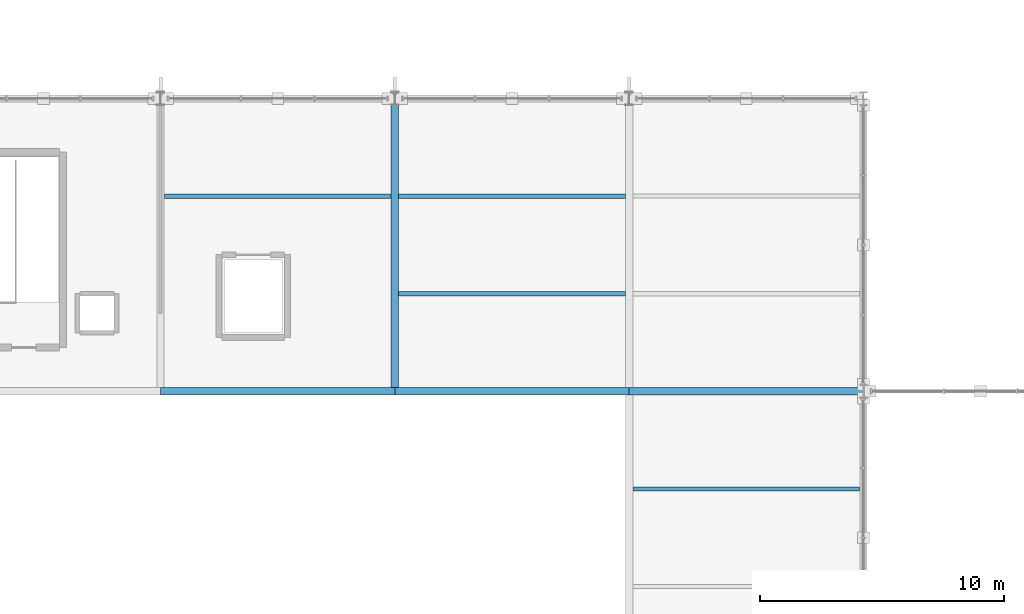
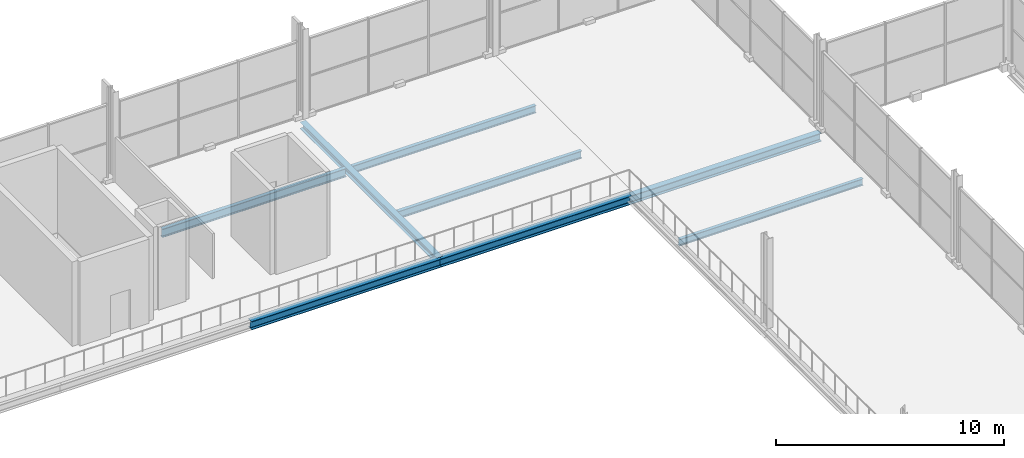
# One storey, part 83 of 159: 8 beams.
"""IFC4 building model written with IfcOpenShell, lengths in metres."""

from ifc_helpers import new_model, si_unit, direction, frame, origin, origin_2d, place, context, subcontext, project, spatial, i_section, extrude, material, material_profile, profile_set, type_object, element, save


model = new_model("IFC4")

# Units and contexts
model_context = context("Model", 3, precision=1e-05, world=origin(), true_north=direction((0.0, 1.0)))
body_context = subcontext(model_context, "Body", "Model", "MODEL_VIEW")
ifc_project = project(units=[si_unit("LENGTHUNIT", "METRE"), si_unit("AREAUNIT", "SQUARE_METRE"), si_unit("VOLUMEUNIT", "CUBIC_METRE"), si_unit("PLANEANGLEUNIT", "RADIAN"), si_unit("MASSUNIT", "GRAM", prefix="KILO")], contexts=[model_context])

# Site, building, storey
site_placement = place(None, origin())
site = spatial("IfcSite", under=ifc_project, at=site_placement, CompositionType="ELEMENT")
building_placement = place(site_placement, origin())
building = spatial("IfcBuilding", under=site, at=building_placement, Name="Merenkruunu Market Hall", CompositionType="ELEMENT")
storey_placement = place(building_placement, frame((0.0, 0.0, 5.39990234375)))
storey = spatial("IfcBuildingStorey", under=building, at=storey_placement, Name="L01", CompositionType="ELEMENT", Elevation=5.39990234375)

# Beams
ifc_material = material(Name="Steel S355J2", Category="steel")
ifc_material_profile_1 = material_profile(ifc_material, i_section(OverallWidth=0.300048828125, OverallDepth=0.449951171875, WebThickness=0.013916015625, FlangeThickness=0.02587890625, FilletRadius=0.027099609375, at=origin_2d()), Name="HEB 450")
ifc_profile_set_1 = profile_set([ifc_material_profile_1], Name="Steel S355J2")
beam_type_1 = type_object("IfcBeamType", Name="Primary Floor Girder B03", PredefinedType="BEAM", material=ifc_profile_set_1)
beam_1_placement = place(storey_placement, frame((28.800048828125, 99.60009765625, -0.5048828125), z_axis=(1.0, 0.0, 0.0), x_axis=(0.0, 1.0, 0.0)))
element("IfcBeam", 1, at=beam_1_placement, inside=storey, type_object=beam_type_1, Name="BM-L01-B03-0542", PredefinedType="BEAM", context=body_context, shape_type="SweptSolid", body=[
    extrude(i_section(OverallWidth=0.300048828125, OverallDepth=0.449951171875, WebThickness=0.013916015625, FlangeThickness=0.02587890625, FilletRadius=0.027099609375, at=origin_2d()), origin(), (0.0, 0.0, 1.0), 9.599853515625),
])
for number, where, z_axis, x_axis, name in (
    (2, (38.39990234375, 99.60009765625, -0.5048828125), (1.0, 0.0, 0.0), (0.0, 1.0, 0.0), "BM-L01-B03-0543"),
    (3, (48.0, 99.60009765625, -0.5048828125), (1.0, 0.0, 0.0), (0.0, 1.0, 0.0), "BM-L01-B03-0544"),
):
    element("IfcBeam", number, at=place(storey_placement, frame(where, z_axis=z_axis, x_axis=x_axis)), inside=storey, type_object=beam_type_1, Name=name, PredefinedType="BEAM", context=body_context, shape_type="SweptSolid", body=[
        extrude(i_section(OverallWidth=0.300048828125, OverallDepth=0.449951171875, WebThickness=0.013916015625, FlangeThickness=0.02587890625, FilletRadius=0.027099609375, at=origin_2d()), origin(), (0.0, 0.0, 1.0), 9.60009765625),
    ])
ifc_material_profile_2 = material_profile(ifc_material, i_section(OverallWidth=0.300048828125, OverallDepth=0.35009765625, WebThickness=0.010009765625, FlangeThickness=0.017578125, FilletRadius=0.027099609375, at=origin_2d()), Name="HEA 360")
ifc_profile_set_2 = profile_set([ifc_material_profile_2], Name="Steel S355J2")
beam_type_2 = type_object("IfcBeamType", Name="Primary Floor Girder B08", PredefinedType="BEAM", material=ifc_profile_set_2)
beam_2_placement = place(storey_placement, frame((38.39990234375, 99.60009765625, -0.454833984375), z_axis=(0.0, 1.0, 0.0), x_axis=(-1.0, 0.0, 0.0)))
element("IfcBeam", 4, at=beam_2_placement, inside=storey, type_object=beam_type_2, Name="BM-L01-B08-0570", PredefinedType="BEAM", context=body_context, shape_type="SweptSolid", body=[
    extrude(i_section(OverallWidth=0.300048828125, OverallDepth=0.35009765625, WebThickness=0.010009765625, FlangeThickness=0.017578125, FilletRadius=0.027099609375, at=origin_2d()), origin(), (0.0, 0.0, 1.0), 12.0),
])
ifc_material_profile_3 = material_profile(ifc_material, i_section(OverallWidth=0.18994140625, OverallDepth=0.449951171875, WebThickness=0.009521484375, FlangeThickness=0.0146484375, FilletRadius=0.02099609375, at=origin_2d()), Name="IPE 450")
ifc_profile_set_3 = profile_set([ifc_material_profile_3], Name="Steel S355J2")
beam_type_3 = type_object("IfcBeamType", Name="Secondary Floor Joist J01", PredefinedType="JOIST", material=ifc_profile_set_3)
beam_3_placement = place(storey_placement, frame((28.952880859375, 107.60009765625, -0.5048828125), z_axis=(1.0, 0.0, 0.0), x_axis=(0.0, 1.0, 0.0)))
element("IfcBeam", 5, at=beam_3_placement, inside=storey, type_object=beam_type_3, Name="BM-L01-J01-0662", PredefinedType="JOIST", context=body_context, shape_type="SweptSolid", body=[
    extrude(i_section(OverallWidth=0.18994140625, OverallDepth=0.449951171875, WebThickness=0.009521484375, FlangeThickness=0.0146484375, FilletRadius=0.02099609375, at=origin_2d()), origin(), (0.0, 0.0, 1.0), 9.294189453125),
])
ifc_material_profile_4 = material_profile(ifc_material, i_section(OverallWidth=0.179931640625, OverallDepth=0.39990234375, WebThickness=0.008544921875, FlangeThickness=0.013427734375, FilletRadius=0.02099609375, at=origin_2d()), Name="IPE 400")
ifc_profile_set_4 = profile_set([ifc_material_profile_4], Name="Steel S355J2")
beam_type_4 = type_object("IfcBeamType", Name="Secondary Floor Joist J02", PredefinedType="JOIST", material=ifc_profile_set_4)
for number, where, z_axis, x_axis, name in (
    (6, (38.552978515625, 103.60009765625, -0.47998046875), (1.0, 0.0, 0.0), (0.0, 1.0, 0.0), "BM-L01-J02-0663"),
    (7, (38.552978515625, 107.60009765625, -0.47998046875), (1.0, 0.0, 0.0), (0.0, 1.0, 0.0), "BM-L01-J02-0664"),
):
    element("IfcBeam", number, at=place(storey_placement, frame(where, z_axis=z_axis, x_axis=x_axis)), inside=storey, type_object=beam_type_4, Name=name, PredefinedType="JOIST", context=body_context, shape_type="SweptSolid", body=[
        extrude(i_section(OverallWidth=0.179931640625, OverallDepth=0.39990234375, WebThickness=0.008544921875, FlangeThickness=0.013427734375, FilletRadius=0.02099609375, at=origin_2d()), origin(), (0.0, 0.0, 1.0), 9.2939453125),
    ])
ifc_material_profile_5 = material_profile(ifc_material, i_section(OverallWidth=0.169921875, OverallDepth=0.360107421875, WebThickness=0.008056640625, FlangeThickness=0.0126953125, FilletRadius=0.01806640625, at=origin_2d()), Name="IPE 360")
ifc_profile_set_5 = profile_set([ifc_material_profile_5], Name="Steel S355J2")
beam_type_5 = type_object("IfcBeamType", Name="Secondary Floor Joist J03", PredefinedType="JOIST", material=ifc_profile_set_5)
beam_4_placement = place(storey_placement, frame((48.153076171875, 95.60009765625, -0.4599609375), z_axis=(1.0, 0.0, 0.0), x_axis=(0.0, 1.0, 0.0)))
element("IfcBeam", 8, at=beam_4_placement, inside=storey, type_object=beam_type_5, Name="BM-L01-J03-0673", PredefinedType="JOIST", context=body_context, shape_type="SweptSolid", body=[
    extrude(i_section(OverallWidth=0.169921875, OverallDepth=0.360107421875, WebThickness=0.008056640625, FlangeThickness=0.0126953125, FilletRadius=0.01806640625, at=origin_2d()), origin(), (0.0, 0.0, 1.0), 9.2939453125),
])

save(model, "model.ifc")
